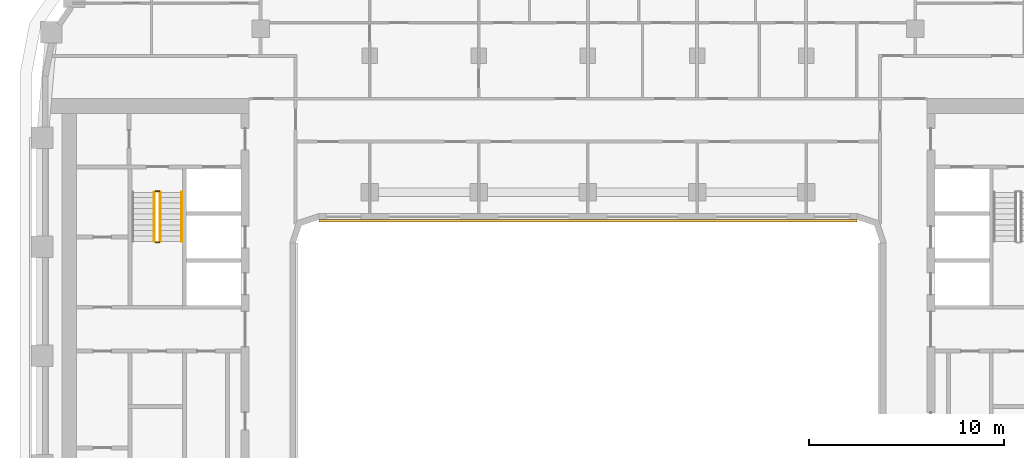
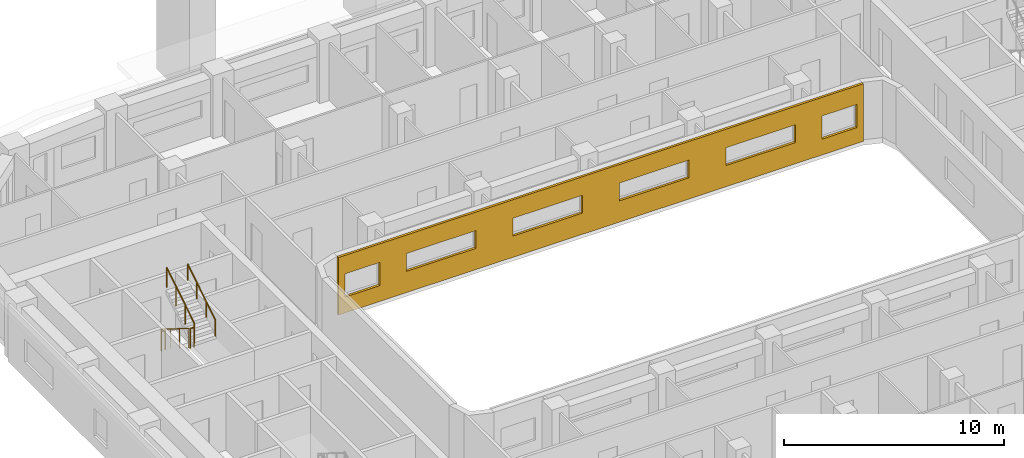
# One storey, part 16 of 18: 5 railings, 1 covering.
"""IFC4 building model written with IfcOpenShell, lengths in metres."""

from ifc_helpers import new_model, si_unit, direction, frame, origin, origin_2d, place, context, subcontext, project, spatial, polyline, circle, outline, extrude, material, layer, layer_set, type_object, element, save


model = new_model("IFC4")

# Units and contexts
model_context = context("Model", 3, precision=1e-05, world=origin(), true_north=direction((0.0, 1.0)))
body_context = subcontext(model_context, "Body", "Model", "MODEL_VIEW")
ifc_project = project(units=[si_unit("LENGTHUNIT", "METRE"), si_unit("AREAUNIT", "SQUARE_METRE"), si_unit("VOLUMEUNIT", "CUBIC_METRE"), si_unit("PLANEANGLEUNIT", "RADIAN"), si_unit("MASSUNIT", "GRAM", prefix="KILO")], contexts=[model_context])

# Site, building, storey
site_placement = place(None, origin())
site = spatial("IfcSite", under=ifc_project, at=site_placement, CompositionType="ELEMENT")
building_placement = place(site_placement, origin())
building = spatial("IfcBuilding", under=site, at=building_placement, Name="Kiln Ring Residences", CompositionType="ELEMENT")
storey_placement = place(building_placement, frame((0.0, 0.0, 157.10009765625)))
storey = spatial("IfcBuildingStorey", under=building, at=storey_placement, Name="L40", CompositionType="ELEMENT", Elevation=157.10009765625)

# Railings
ifc_material_1 = material(Name="Stainless steel", Category="steel")
railing_type_1 = type_object("IfcRailingType", Name="CORE-STAIR-GUARD", PredefinedType="GUARDRAIL", material=ifc_material_1)
railing_1_placement = place(storey_placement, frame((-22.25, 8.39990234375, 0.1748046875)))
element("IfcRailing", 1, at=railing_1_placement, inside=storey, type_object=railing_type_1, Name="L40 W-STN stair guard 1", PredefinedType="GUARDRAIL", context=body_context, shape_type="SweptSolid", body=[
    extrude(circle(Radius=0.02392578125, at=origin_2d()), frame((0.0, 0.0, 1.076171875), z_axis=(0.0, -0.847970611238, 0.530043245855), x_axis=(1.0, 0.0, 0.0)), (0.0, 0.0, 1.0), 2.971923828125),
    extrude(circle(Radius=0.02099609375, at=origin_2d()), origin(), (0.0, 0.0, 1.0), 1.052001953125),
    extrude(circle(Radius=0.02099609375, at=origin_2d()), frame((0.0, -0.840087890625, 0.525146484375)), (0.0, 0.0, 1.0), 1.052001953125),
    extrude(circle(Radius=0.02099609375, at=origin_2d()), frame((0.0, -1.679931640625, 1.050048828125)), (0.0, 0.0, 1.0), 1.052001953125),
    extrude(circle(Radius=0.02099609375, at=origin_2d()), frame((0.0, -2.52001953125, 1.5751953125)), (0.0, 0.0, 1.0), 1.052001953125),
])
railing_2_placement = place(storey_placement, frame((-22.199951171875, 5.830078125, 1.75)))
element("IfcRailing", 2, at=railing_2_placement, inside=storey, type_object=railing_type_1, Name="L40 W-STN stair guard 2", PredefinedType="GUARDRAIL", context=body_context, shape_type="SweptSolid", body=[
    extrude(circle(Radius=0.02392578125, at=origin_2d()), frame((0.0, 0.0, 1.076171875), z_axis=(1.0, 0.0, 0.0), x_axis=(0.0, 1.0, 0.0)), (0.0, 0.0, 1.0), 0.199951171875),
    extrude(circle(Radius=0.02099609375, at=origin_2d()), origin(), (0.0, 0.0, 1.0), 1.052001953125),
    extrude(circle(Radius=0.02099609375, at=origin_2d()), frame((0.199951171875, 0.0, 0.0)), (0.0, 0.0, 1.0), 1.052001953125),
])
railing_3_placement = place(storey_placement, frame((-21.949951171875, 5.8798828125, 1.9248046875)))
element("IfcRailing", 3, at=railing_3_placement, inside=storey, type_object=railing_type_1, Name="L40 W-STN stair guard 3", PredefinedType="GUARDRAIL", context=body_context, shape_type="SweptSolid", body=[
    extrude(circle(Radius=0.02392578125, at=origin_2d()), frame((0.0, 0.0, 1.076171875), z_axis=(0.0, 0.847970611238, 0.530043245855), x_axis=(-1.0, 0.0, 0.0)), (0.0, 0.0, 1.0), 2.971923828125),
    extrude(circle(Radius=0.02099609375, at=origin_2d()), origin(), (0.0, 0.0, 1.0), 1.052001953125),
    extrude(circle(Radius=0.02099609375, at=origin_2d()), frame((0.0, 0.840087890625, 0.525146484375)), (0.0, 0.0, 1.0), 1.052001953125),
    extrude(circle(Radius=0.02099609375, at=origin_2d()), frame((0.0, 1.679931640625, 1.050048828125)), (0.0, 0.0, 1.0), 1.052001953125),
    extrude(circle(Radius=0.02099609375, at=origin_2d()), frame((0.0, 2.52001953125, 1.5751953125)), (0.0, 0.0, 1.0), 1.052001953125),
])
railing_4_placement = place(storey_placement, frame((-22.199951171875, 8.449951171875, 0.0)))
element("IfcRailing", 4, at=railing_4_placement, inside=storey, type_object=railing_type_1, Name="L40 W-STN stair guard 4", PredefinedType="GUARDRAIL", context=body_context, shape_type="SweptSolid", body=[
    extrude(circle(Radius=0.02392578125, at=origin_2d()), frame((0.0, 0.0, 1.076171875), z_axis=(1.0, 0.0, 0.0), x_axis=(0.0, 1.0, 0.0)), (0.0, 0.0, 1.0), 0.199951171875),
    extrude(circle(Radius=0.02099609375, at=origin_2d()), origin(), (0.0, 0.0, 1.0), 1.052001953125),
    extrude(circle(Radius=0.02099609375, at=origin_2d()), frame((0.199951171875, 0.0, 0.0)), (0.0, 0.0, 1.0), 1.052001953125),
])
ifc_material_2 = material(Name="Stainless steel", Category="steel")
railing_type_2 = type_object("IfcRailingType", Name="CORE-STAIR-HANDRAIL", PredefinedType="HANDRAIL", material=ifc_material_2)
railing_5_placement = place(storey_placement, frame((-20.85009765625, 5.8798828125, 1.9248046875)))
element("IfcRailing", 5, at=railing_5_placement, inside=storey, type_object=railing_type_2, Name="L40 W-STN stair handrail 2", PredefinedType="HANDRAIL", context=body_context, shape_type="SweptSolid", body=[
    extrude(circle(Radius=0.02392578125, at=origin_2d()), frame((0.0, 0.0, 0.8759765625), z_axis=(0.0, 0.847970611238, 0.530043245855), x_axis=(-1.0, 0.0, 0.0)), (0.0, 0.0, 1.0), 2.971923828125),
    extrude(circle(Radius=0.02099609375, at=origin_2d()), origin(), (0.0, 0.0, 1.0), 0.851806640625),
    extrude(circle(Radius=0.02099609375, at=origin_2d()), frame((0.0, 0.840087890625, 0.525146484375)), (0.0, 0.0, 1.0), 0.851806640625),
    extrude(circle(Radius=0.02099609375, at=origin_2d()), frame((0.0, 1.679931640625, 1.050048828125)), (0.0, 0.0, 1.0), 0.851806640625),
    extrude(circle(Radius=0.02099609375, at=origin_2d()), frame((0.0, 2.52001953125, 1.5751953125)), (0.0, 0.0, 1.0), 0.851806640625),
])

# Covering
ifc_material_3 = material(Name="Brick masonry, dark clay brick", Category="masonry")
ifc_layer = layer(ifc_material_3, 0.1201171875)
ifc_layer_set = layer_set([ifc_layer], Name="RAINSCREEN PANEL 120")
covering_type = type_object("IfcCoveringType", Name="RAINSCREEN PANEL 120", PredefinedType="CLADDING", material=ifc_layer_set)
covering_placement = place(storey_placement, frame((-13.800048828125, 6.93994140625, 0.0), z_axis=(0.0, 0.0, 1.0), x_axis=(1.0, 0.0, 0.0)))
element("IfcCovering", 6, at=covering_placement, inside=storey, type_object=covering_type, Name="RAINSCREEN L40", PredefinedType="CLADDING", context=body_context, shape_type="SweptSolid", body=[
    extrude(outline(polyline([(0.0, 0.0), (27.60009765625, 0.0), (27.60009765625, 3.199951171875), (0.0, 3.199951171875), (0.0, 0.0)]), holes=[polyline([(2.1826171875, 0.8798828125), (2.1826171875, 2.169921875), (0.342529296875, 2.169921875), (0.342529296875, 0.8798828125), (2.1826171875, 0.8798828125)]), polyline([(25.41748046875, 0.8798828125), (27.257568359375, 0.8798828125), (27.257568359375, 2.169921875), (25.41748046875, 2.169921875), (25.41748046875, 0.8798828125)]), polyline([(3.580078125, 1.179931640625), (7.219970703125, 1.179931640625), (7.219970703125, 2.169921875), (3.580078125, 2.169921875), (3.580078125, 1.179931640625)]), polyline([(12.820068359375, 1.179931640625), (12.820068359375, 2.169921875), (9.179931640625, 2.169921875), (9.179931640625, 1.179931640625), (12.820068359375, 1.179931640625)]), polyline([(14.780029296875, 1.179931640625), (18.419921875, 1.179931640625), (18.419921875, 2.169921875), (14.780029296875, 2.169921875), (14.780029296875, 1.179931640625)]), polyline([(20.3798828125, 1.179931640625), (24.02001953125, 1.179931640625), (24.02001953125, 2.169921875), (20.3798828125, 2.169921875), (20.3798828125, 1.179931640625)])]), frame((0.0, 0.06005859375, 0.0), z_axis=(0.0, -1.0, 0.0), x_axis=(1.0, 0.0, 0.0)), (0.0, 0.0, 1.0), 0.1201171875),
])

save(model, "model.ifc")
